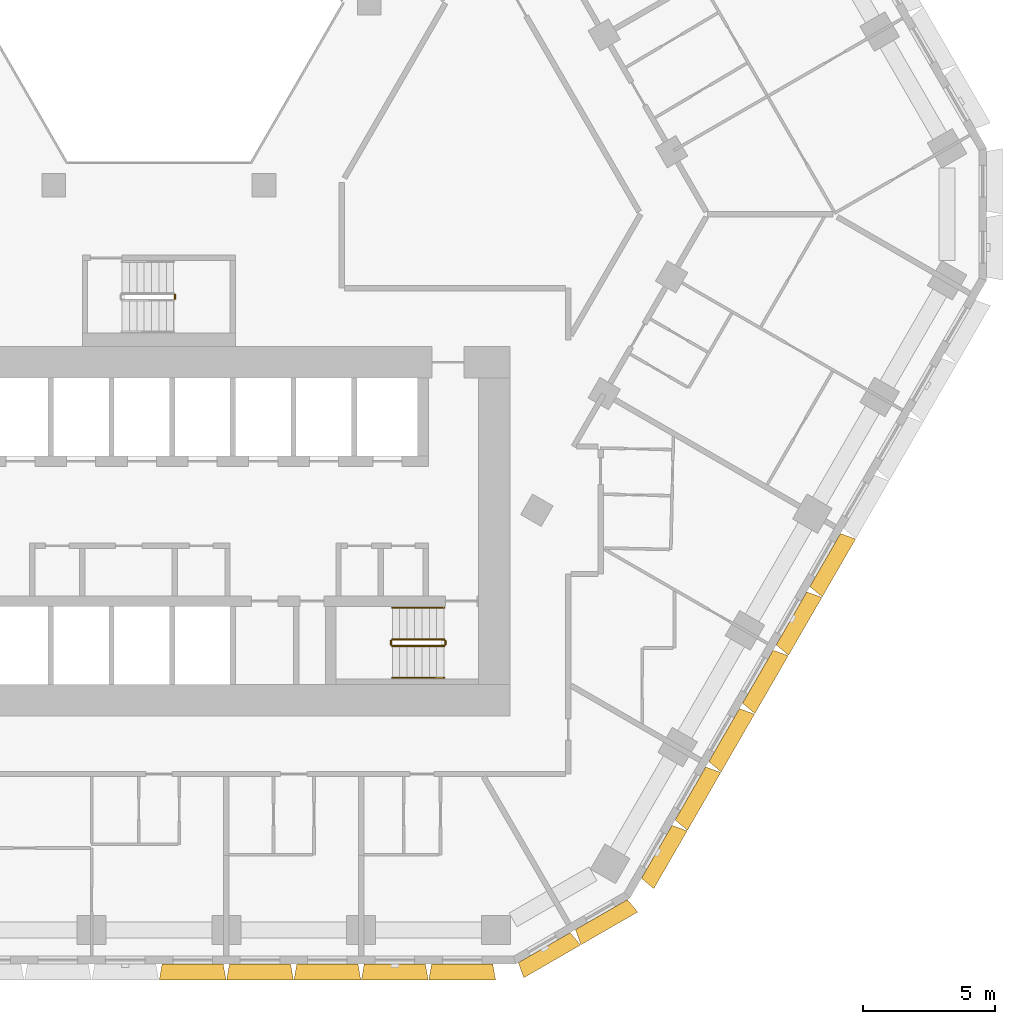
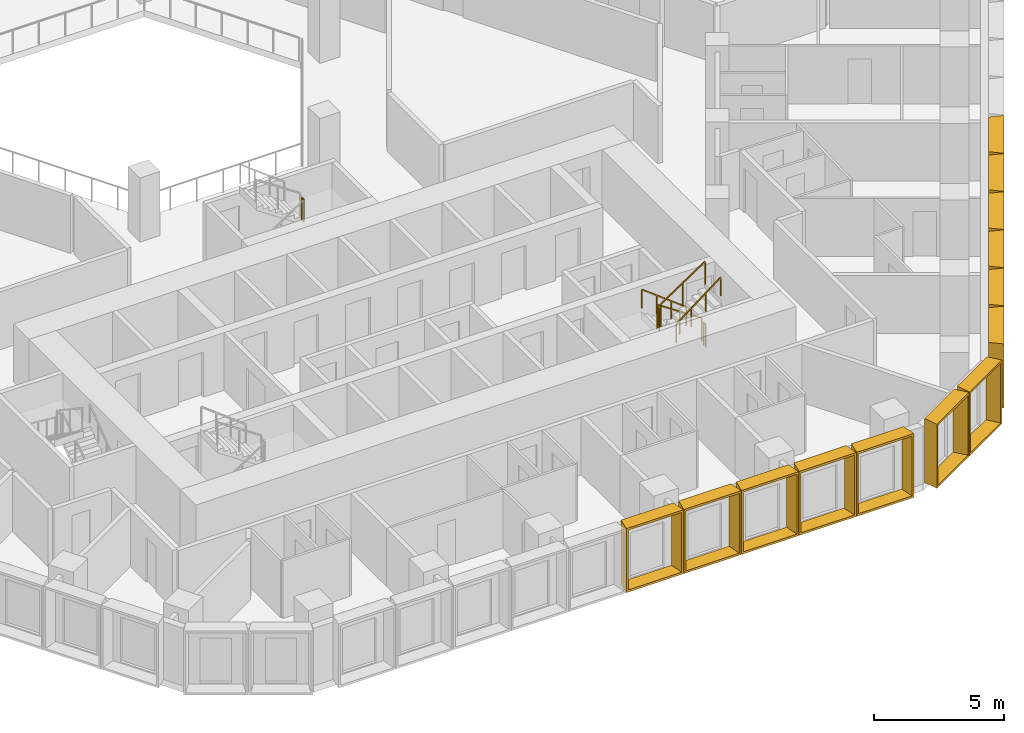
# One storey, part 20 of 21: 13 shading devices, 7 railings.
"""IFC4 building model written with IfcOpenShell, lengths in metres."""

import ifcopenshell
import ifcopenshell.guid

model = None  # the IFC model being written
_history = None  # IfcOwnerHistory: only IFC2X3 demands one
_inside = {}  # id of a spatial element -> (the spatial element, [elements in it])
_under = {}  # id of a project, library or spatial element -> (it, [spatial elements below it])
_declared = {}  # id of a project -> (the project, [libraries it declares])
_typed = {}  # id of a type object -> (the type object, [elements of that type])
_made_of = {}  # id of a material, layer set ... -> (it, [elements and type objects made of it])


def new_model(schema):
    """Start an empty IFC model of exactly this schema.

    Asked for "IFC4X3", IfcOpenShell would pick the latest addendum, in which some entities
    have other attributes; the version numbers below select the first issue.
    IFC2X3 requires an IfcOwnerHistory on every rooted entity: one is made here for all.
    """
    global model, _history
    if schema == "IFC4X3":
        model = ifcopenshell.file(schema_version=(4, 3, 0, 0))
    else:
        model = ifcopenshell.file(schema=schema)
    _inside.clear()
    _under.clear()
    _declared.clear()
    _typed.clear()
    _made_of.clear()
    _history = None
    if model.schema == "IFC2X3":
        org = make("IfcOrganization", Name="unknown")
        user = make(
            "IfcPersonAndOrganization",
            ThePerson=make("IfcPerson", FamilyName="unknown"),
            TheOrganization=org,
        )
        app = make(
            "IfcApplication",
            ApplicationDeveloper=org,
            Version="unknown",
            ApplicationFullName="unknown",
            ApplicationIdentifier="unknown",
        )
        _history = make(
            "IfcOwnerHistory",
            OwningUser=user,
            OwningApplication=app,
            ChangeAction="ADDED",
            CreationDate=0,
        )
    return model


def make(cls, **values):
    """One entity of the class cls with the attributes given. An attribute that is None is left unset."""
    return model.create_entity(
        cls, **{name: value for name, value in values.items() if value is not None}
    )


def entity(cls, *values):
    """Any entity or typed value of the class cls, its attributes in the order of the schema. None: left unset."""
    e = model.create_entity(cls)
    for i, value in enumerate(values):
        if value is not None:
            e[i] = value
    return e


def rooted(cls, **values):
    """An entity with a GlobalId (a new one), such as an element, a storey or a relation."""
    return make(cls, GlobalId=ifcopenshell.guid.new(), OwnerHistory=_history, **values)


def si_unit(unit_type, name, prefix=None):
    """IfcSIUnit, for example si_unit("LENGTHUNIT", "METRE", prefix="MILLI")."""
    return make("IfcSIUnit", UnitType=unit_type, Prefix=prefix, Name=name)


def assignment(units):
    """IfcUnitAssignment: the units of a project."""
    return None if units is None else make("IfcUnitAssignment", Units=units)


def point(xyz):
    """IfcCartesianPoint."""
    return None if xyz is None else make("IfcCartesianPoint", Coordinates=xyz)


def direction(xyz):
    """IfcDirection."""
    return None if xyz is None else make("IfcDirection", DirectionRatios=xyz)


def frame(location, z_axis=None, x_axis=None):
    """IfcAxis2Placement3D, a coordinate frame: its origin and axes. An axis left out is left unset."""
    return make(
        "IfcAxis2Placement3D",
        Location=point(location),
        Axis=direction(z_axis),
        RefDirection=direction(x_axis),
    )


def frame_2d(location, x_axis=None):
    """IfcAxis2Placement2D, a coordinate frame in the plane: its origin and x axis."""
    return make(
        "IfcAxis2Placement2D", Location=point(location), RefDirection=direction(x_axis)
    )


def origin():
    """The frame at (0, 0, 0) with its axes left unset."""
    return frame((0.0, 0.0, 0.0))


def origin_2d():
    """The frame at (0, 0) in the plane with its x axis left unset."""
    return frame_2d((0.0, 0.0))


def place(relative_to, where):
    """IfcLocalPlacement: puts the frame where relative to a parent placement (None: the world)."""
    return make(
        "IfcLocalPlacement", PlacementRelTo=relative_to, RelativePlacement=where
    )


def context(
    kind, dimensions, precision=None, world=None, true_north=None, identifier=None
):
    """IfcGeometricRepresentationContext, for example the 3D "Model" context."""
    return make(
        "IfcGeometricRepresentationContext",
        ContextIdentifier=identifier,
        ContextType=kind,
        CoordinateSpaceDimension=dimensions,
        Precision=precision,
        WorldCoordinateSystem=world,
        TrueNorth=true_north,
    )


def subcontext(parent, identifier, kind, view, scale=None):
    """IfcGeometricRepresentationSubContext, for example "Body" below "Model"."""
    return make(
        "IfcGeometricRepresentationSubContext",
        ContextIdentifier=identifier,
        ContextType=kind,
        ParentContext=parent,
        TargetScale=scale,
        TargetView=view,
    )


def project(units=None, contexts=None):
    """IfcProject with its units and contexts."""
    return rooted(
        "IfcProject",
        Name="project",
        RepresentationContexts=contexts,
        UnitsInContext=assignment(units),
    )


def spatial(cls, under=None, at=None, **own):
    """A site, building, storey or space (cls), placed at a placement, below another one or the project."""
    s = rooted(cls, ObjectPlacement=at, **own)
    if under is not None:
        _under.setdefault(under.id(), (under, []))[1].append(s)
    return s


def profile(cls, at=None, kind="AREA", **sizes):
    """A parametric profile (cls). Its sizes go by their IFC names, for example OverallWidth=200.0."""
    return make(cls, ProfileType=kind, Position=at, **sizes)


def rectangle(**sizes):
    """IfcRectangleProfileDef."""
    return profile("IfcRectangleProfileDef", **sizes)


def extrude(swept, where, along, depth):
    """IfcExtrudedAreaSolid: the profile swept, set in the frame where, extruded along a direction by depth."""
    return make(
        "IfcExtrudedAreaSolid",
        SweptArea=swept,
        Position=where,
        ExtrudedDirection=direction(along),
        Depth=depth,
    )


def shape(context_of_items, identifier, shape_type, items):
    """IfcShapeRepresentation: the items that make up one representation, for example the "Body"."""
    return make(
        "IfcShapeRepresentation",
        ContextOfItems=context_of_items,
        RepresentationIdentifier=identifier,
        RepresentationType=shape_type,
        Items=items,
    )


def source(mapping_origin, context_of_items, identifier, shape_type, items):
    """IfcRepresentationMap: a shape defined once, which mapped items show again and again."""
    return make(
        "IfcRepresentationMap",
        MappingOrigin=mapping_origin,
        MappedRepresentation=shape(context_of_items, identifier, shape_type, items),
    )


def transform(
    local_origin,
    x_axis=None,
    y_axis=None,
    z_axis=None,
    scale=None,
    scale2=None,
    scale3=None,
    uniform=True,
):
    """IfcCartesianTransformationOperator3D, or its non-uniform kind. x_axis, y_axis, z_axis: its Axis1, 2, 3."""
    if uniform:
        return make(
            "IfcCartesianTransformationOperator3D",
            Axis1=direction(x_axis),
            Axis2=direction(y_axis),
            LocalOrigin=point(local_origin),
            Scale=scale,
            Axis3=direction(z_axis),
        )
    return make(
        "IfcCartesianTransformationOperator3DnonUniform",
        Axis1=direction(x_axis),
        Axis2=direction(y_axis),
        LocalOrigin=point(local_origin),
        Scale=scale,
        Axis3=direction(z_axis),
        Scale2=scale2,
        Scale3=scale3,
    )


def mapped(mapping_source, mapping_target):
    """IfcMappedItem: shows the shape of a source again, moved by a transform."""
    return make(
        "IfcMappedItem", MappingSource=mapping_source, MappingTarget=mapping_target
    )


def material(Name=None, Category=None):
    """IfcMaterial."""
    return make("IfcMaterial", Name=Name, Category=Category)


def made_of(thing, what):
    """Note that an element or type object is made of a material, layer set ...; save() writes the relation."""
    if what is not None:
        _made_of.setdefault(what.id(), (what, []))[1].append(thing)
    return thing


def type_object(cls, material=None, **own):
    """A type object (cls), such as IfcWallType, which elements share."""
    return made_of(rooted(cls, **own), material)


def type_shapes(of_type, sources):
    """Give a type object the sources (RepresentationMaps) that its elements show as mapped items."""
    of_type.RepresentationMaps = sources


def element(
    cls,
    number,
    at=None,
    inside=None,
    cuts=None,
    type_object=None,
    material=None,
    context=None,
    identifier="Body",
    shape_type=None,
    held_by="IfcProductDefinitionShape",
    body=None,
    shapes=None,
    **own,
):
    """One element of the class cls, such as IfcWall. Its Tag is "e" and its number.

    at: its placement. inside: the storey or other place that contains it. cuts: it is an
    opening in that element (IfcRelVoidsElement). A single representation is given by context,
    identifier, shape_type and body (its items); several are given by shapes. held_by: the class
    of the entity that holds the representations. save() writes the other relations.
    """
    e = rooted(cls, Tag="e%d" % number, ObjectPlacement=at, **own)
    if body is not None:
        shapes = [shape(context, identifier, shape_type, body)]
    if shapes is not None:
        e.Representation = make(held_by, Representations=shapes)
    if inside is not None:
        _inside.setdefault(inside.id(), (inside, []))[1].append(e)
    if cuts is not None:
        rooted(
            "IfcRelVoidsElement", RelatingBuildingElement=cuts, RelatedOpeningElement=e
        )
    if type_object is not None:
        _typed.setdefault(type_object.id(), (type_object, []))[1].append(e)
    return made_of(e, material)


def aggregate(whole, parts):
    """IfcRelAggregates: a whole, such as a stair, and the parts it consists of."""
    return rooted("IfcRelAggregates", RelatingObject=whole, RelatedObjects=parts)


def save(model, path):
    """Write the relations noted so far, then the file.

    IfcRelAggregates (storeys below a building ...), IfcRelContainedInSpatialStructure (elements
    in a storey), IfcRelDefinesByType, IfcRelAssociatesMaterial and IfcRelDeclares: one each for
    every whole, place, type object, material and project.
    """
    for whole, parts in _under.values():
        aggregate(whole, parts)
    for where, things in _inside.values():
        rooted(
            "IfcRelContainedInSpatialStructure",
            RelatedElements=things,
            RelatingStructure=where,
        )
    for kind, things in _typed.values():
        rooted("IfcRelDefinesByType", RelatedObjects=things, RelatingType=kind)
    for what, things in _made_of.values():
        rooted("IfcRelAssociatesMaterial", RelatedObjects=things, RelatingMaterial=what)
    for by, libraries in _declared.values():
        rooted("IfcRelDeclares", RelatingContext=by, RelatedDefinitions=libraries)
    model.write(path)


model = new_model("IFC4")

# Units and contexts
model_context = context("Model", 3, precision=1e-05, world=origin(), true_north=direction((0.0, 1.0)))
body_context = subcontext(model_context, "Body", "Model", "MODEL_VIEW")
ifc_project = project(units=[si_unit("LENGTHUNIT", "METRE"), si_unit("AREAUNIT", "SQUARE_METRE"), si_unit("VOLUMEUNIT", "CUBIC_METRE"), si_unit("PLANEANGLEUNIT", "RADIAN"), si_unit("MASSUNIT", "GRAM", prefix="KILO")], contexts=[model_context])

# Site, building, storey
site_placement = place(None, origin())
site = spatial("IfcSite", under=ifc_project, at=site_placement, CompositionType="ELEMENT")
building_placement = place(site_placement, origin())
building = spatial("IfcBuilding", under=site, at=building_placement, Name="Beryl Residences", CompositionType="ELEMENT")
storey_placement = place(building_placement, frame((0.0, 0.0, 29.39990234375)))
storey = spatial("IfcBuildingStorey", under=building, at=storey_placement, Name="L08", CompositionType="ELEMENT", Elevation=29.39990234375)

# Shading devices
ifc_material_1 = material(Name="Aluminium pale anodised", Category="aluminium")
shading_device_type_1 = type_object("IfcShadingDeviceType", Name="FR250-60A OUTER SKIN frame 600 mm deep, splay 10/10 deg, 2500 x 3000 mm cell", PredefinedType="USERDEFINED", material=ifc_material_1)
cartesian_point_1 = entity("IfcCartesianPoint", [-1.134033203125, 0.0])
cartesian_point_2 = entity("IfcCartesianPoint", [-1.052734375, 0.10009765625])
cartesian_point_3 = entity("IfcCartesianPoint", [-1.23974609375, 0.0])
cartesian_point_4 = entity("IfcCartesianPoint", [-1.158447265625, 0.10009765625])
shared_shape_1 = source(origin(), body_context, "Body", "SweptSolid", [
    entity("IfcExtrudedAreaSolidTapered", entity("IfcArbitraryProfileDefWithVoids", "AREA", None, entity("IfcPolyline", [cartesian_point_1, entity("IfcCartesianPoint", [1.134033203125, 0.0]), entity("IfcCartesianPoint", [1.134033203125, 3.0]), entity("IfcCartesianPoint", [-1.134033203125, 3.0]), cartesian_point_1]), [entity("IfcPolyline", [cartesian_point_2, entity("IfcCartesianPoint", [1.052734375, 0.10009765625]), entity("IfcCartesianPoint", [1.052734375, 2.89990234375]), entity("IfcCartesianPoint", [-1.052734375, 2.89990234375]), cartesian_point_2])]), entity("IfcAxis2Placement3D", entity("IfcCartesianPoint", [0.0, 0.0, 0.0]), entity("IfcDirection", [0.0, 1.0, 0.0]), entity("IfcDirection", [-1.0, 0.0, 0.0])), entity("IfcDirection", [0.0, 0.0, 1.0]), 0.60009765625, entity("IfcArbitraryProfileDefWithVoids", "AREA", None, entity("IfcPolyline", [cartesian_point_3, entity("IfcCartesianPoint", [1.23974609375, 0.0]), entity("IfcCartesianPoint", [1.23974609375, 3.0]), entity("IfcCartesianPoint", [-1.23974609375, 3.0]), cartesian_point_3]), [entity("IfcPolyline", [cartesian_point_4, entity("IfcCartesianPoint", [1.158447265625, 0.10009765625]), entity("IfcCartesianPoint", [1.158447265625, 2.89990234375]), entity("IfcCartesianPoint", [-1.158447265625, 2.89990234375]), cartesian_point_4])])),
])
type_shapes(shading_device_type_1, [shared_shape_1])
for number, where, z_axis, x_axis, name in (
    (1, (14.593017578125, -27.77490234375, 0.0), (0.0, 0.0, 1.0), (-0.866025403784, -0.5, 0.0), "FR250-60A frame L08 S-SE 1"),
    (2, (16.758056640625, -26.52490234375, 0.0), (0.0, 0.0, 1.0), (-0.866025403784, -0.5, 0.0), "FR250-60A frame L08 S-SE 2"),
):
    element("IfcShadingDevice", number, at=place(storey_placement, frame(where, z_axis=z_axis, x_axis=x_axis)), inside=storey, type_object=shading_device_type_1, Name=name, ObjectType="OUTER SKIN", PredefinedType="USERDEFINED", context=body_context, shape_type="MappedRepresentation", body=[
        mapped(shared_shape_1, transform((0.0, 0.0, 0.0))),
    ])
ifc_material_2 = material(Name="Aluminium pale anodised", Category="aluminium")
shading_device_type_2 = type_object("IfcShadingDeviceType", Name="FR255-60A OUTER SKIN frame 600 mm deep, splay 10/10 deg, 2550 x 3000 mm cell", PredefinedType="USERDEFINED", material=ifc_material_2)
cartesian_point_5 = entity("IfcCartesianPoint", [-1.158935546875, 0.0])
cartesian_point_6 = entity("IfcCartesianPoint", [-1.077880859375, 0.10009765625])
cartesian_point_7 = entity("IfcCartesianPoint", [-1.264892578125, 0.0])
cartesian_point_8 = entity("IfcCartesianPoint", [-1.18359375, 0.10009765625])
shared_shape_2 = source(origin(), body_context, "Body", "SweptSolid", [
    entity("IfcExtrudedAreaSolidTapered", entity("IfcArbitraryProfileDefWithVoids", "AREA", None, entity("IfcPolyline", [cartesian_point_5, entity("IfcCartesianPoint", [1.158935546875, 0.0]), entity("IfcCartesianPoint", [1.158935546875, 3.0]), entity("IfcCartesianPoint", [-1.158935546875, 3.0]), cartesian_point_5]), [entity("IfcPolyline", [cartesian_point_6, entity("IfcCartesianPoint", [1.077880859375, 0.10009765625]), entity("IfcCartesianPoint", [1.077880859375, 2.89990234375]), entity("IfcCartesianPoint", [-1.077880859375, 2.89990234375]), cartesian_point_6])]), entity("IfcAxis2Placement3D", entity("IfcCartesianPoint", [0.0, 0.0, 0.0]), entity("IfcDirection", [0.0, 1.0, 0.0]), entity("IfcDirection", [-1.0, 0.0, 0.0])), entity("IfcDirection", [0.0, 0.0, 1.0]), 0.60009765625, entity("IfcArbitraryProfileDefWithVoids", "AREA", None, entity("IfcPolyline", [cartesian_point_7, entity("IfcCartesianPoint", [1.264892578125, 0.0]), entity("IfcCartesianPoint", [1.264892578125, 3.0]), entity("IfcCartesianPoint", [-1.264892578125, 3.0]), cartesian_point_7]), [entity("IfcPolyline", [cartesian_point_8, entity("IfcCartesianPoint", [1.18359375, 0.10009765625]), entity("IfcCartesianPoint", [1.18359375, 2.89990234375]), entity("IfcCartesianPoint", [-1.18359375, 2.89990234375]), cartesian_point_8])])),
])
type_shapes(shading_device_type_2, [shared_shape_2])
for number, where, z_axis, x_axis, name in (
    (3, (1.277099609375, -28.39990234375, 0.0), (0.0, 0.0, 1.0), (-1.0, 0.0, 0.0), "FR255-60A frame L08 S 6"),
    (4, (3.8291015625, -28.39990234375, 0.0), (0.0, 0.0, 1.0), (-1.0, 0.0, 0.0), "FR255-60A frame L08 S 7"),
    (5, (6.381103515625, -28.39990234375, 0.0), (0.0, 0.0, 1.0), (-1.0, 0.0, 0.0), "FR255-60A frame L08 S 8"),
    (6, (8.93310546875, -28.39990234375, 0.0), (0.0, 0.0, 1.0), (-1.0, 0.0, 0.0), "FR255-60A frame L08 S 9"),
    (7, (11.485107421875, -28.39990234375, 0.0), (0.0, 0.0, 1.0), (-1.0, 0.0, 0.0), "FR255-60A frame L08 S 10"),
    (8, (18.85400390625, -24.14501953125, 0.0), (0.0, 0.0, 1.0), (-0.5, -0.866025403784, 0.0), "FR255-60A frame L08 SE 1"),
    (9, (20.1298828125, -21.93505859375, 0.0), (0.0, 0.0, 1.0), (-0.5, -0.866025403784, 0.0), "FR255-60A frame L08 SE 2"),
    (10, (21.406005859375, -19.72412109375, 0.0), (0.0, 0.0, 1.0), (-0.5, -0.866025403784, 0.0), "FR255-60A frame L08 SE 3"),
    (11, (22.681884765625, -17.513916015625, 0.0), (0.0, 0.0, 1.0), (-0.5, -0.866025403784, 0.0), "FR255-60A frame L08 SE 4"),
    (12, (23.9580078125, -15.303955078125, 0.0), (0.0, 0.0, 1.0), (-0.5, -0.866025403784, 0.0), "FR255-60A frame L08 SE 5"),
    (13, (25.23291015625, -13.093994140625, 0.0), (0.0, 0.0, 1.0), (-0.5, -0.866025403784, 0.0), "FR255-60A frame L08 SE 6"),
):
    element("IfcShadingDevice", number, at=place(storey_placement, frame(where, z_axis=z_axis, x_axis=x_axis)), inside=storey, type_object=shading_device_type_2, Name=name, ObjectType="OUTER SKIN", PredefinedType="USERDEFINED", context=body_context, shape_type="MappedRepresentation", body=[
        mapped(shared_shape_2, transform((0.0, 0.0, 0.0))),
    ])

# Railings
ifc_material_3 = material(Name="Stainless steel balustrade with glass infill", Category="steel")
railing_type_1 = type_object("IfcRailingType", Name="SG1 stair guard 1100 mm", PredefinedType="GUARDRAIL", material=ifc_material_3)
railing_1_placement = place(storey_placement, frame((10.800048828125, -16.10009765625, 0.1875)))
element("IfcRailing", 14, at=railing_1_placement, inside=storey, type_object=railing_type_1, Name="L08 ST-3 stair guard 1", PredefinedType="GUARDRAIL", context=body_context, shape_type="SweptSolid", body=[
    extrude(rectangle(XDim=0.048095703125, YDim=0.048095703125, at=origin_2d()), frame((0.0, 0.0, 1.076171875), z_axis=(-0.830902050051, 0.0, 0.556418712142), x_axis=(0.0, -1.0, 0.0)), (0.0, 0.0, 1.0), 2.35888671875),
    extrude(rectangle(XDim=0.0419921875, YDim=0.0419921875, at=origin_2d()), origin(), (0.0, 0.0, 1.0), 1.052001953125),
    extrude(rectangle(XDim=0.0419921875, YDim=0.0419921875, at=origin_2d()), frame((-0.97998046875, 0.0, 0.65625)), (0.0, 0.0, 1.0), 1.052001953125),
    extrude(rectangle(XDim=0.0419921875, YDim=0.0419921875, at=origin_2d()), frame((-1.9599609375, 0.0, 1.3125)), (0.0, 0.0, 1.0), 1.052001953125),
])
railing_2_placement = place(storey_placement, frame((8.7900390625, -16.14990234375, 1.5)))
element("IfcRailing", 15, at=railing_2_placement, inside=storey, type_object=railing_type_1, Name="L08 ST-3 stair guard 2", PredefinedType="GUARDRAIL", context=body_context, shape_type="SweptSolid", body=[
    extrude(rectangle(XDim=0.048095703125, YDim=0.048095703125, at=origin_2d()), frame((0.0, 0.0, 1.076171875), z_axis=(0.0, -1.0, 0.0), x_axis=(1.0, 0.0, 0.0)), (0.0, 0.0, 1.0), 0.150146484375),
    extrude(rectangle(XDim=0.0419921875, YDim=0.0419921875, at=origin_2d()), origin(), (0.0, 0.0, 1.0), 1.052001953125),
    extrude(rectangle(XDim=0.0419921875, YDim=0.0419921875, at=origin_2d()), frame((0.0, -0.150146484375, 0.0)), (0.0, 0.0, 1.0), 1.052001953125),
])
railing_3_placement = place(storey_placement, frame((8.840087890625, -16.35009765625, 1.6875)))
element("IfcRailing", 16, at=railing_3_placement, inside=storey, type_object=railing_type_1, Name="L08 ST-3 stair guard 3", PredefinedType="GUARDRAIL", context=body_context, shape_type="SweptSolid", body=[
    extrude(rectangle(XDim=0.048095703125, YDim=0.048095703125, at=origin_2d()), frame((0.0, 0.0, 1.076171875), z_axis=(0.830902050051, 0.0, 0.556418712142), x_axis=(0.0, 1.0, 0.0)), (0.0, 0.0, 1.0), 2.35888671875),
    extrude(rectangle(XDim=0.0419921875, YDim=0.0419921875, at=origin_2d()), origin(), (0.0, 0.0, 1.0), 1.052001953125),
    extrude(rectangle(XDim=0.0419921875, YDim=0.0419921875, at=origin_2d()), frame((0.97998046875, 0.0, 0.65625)), (0.0, 0.0, 1.0), 1.052001953125),
    extrude(rectangle(XDim=0.0419921875, YDim=0.0419921875, at=origin_2d()), frame((1.9599609375, 0.0, 1.3125)), (0.0, 0.0, 1.0), 1.052001953125),
])
railing_4_placement = place(storey_placement, frame((10.85009765625, -16.14990234375, 0.0)))
element("IfcRailing", 17, at=railing_4_placement, inside=storey, type_object=railing_type_1, Name="L08 ST-3 stair guard 4", PredefinedType="GUARDRAIL", context=body_context, shape_type="SweptSolid", body=[
    extrude(rectangle(XDim=0.048095703125, YDim=0.048095703125, at=origin_2d()), frame((0.0, 0.0, 1.076171875), z_axis=(0.0, -1.0, 0.0), x_axis=(1.0, 0.0, 0.0)), (0.0, 0.0, 1.0), 0.150146484375),
    extrude(rectangle(XDim=0.0419921875, YDim=0.0419921875, at=origin_2d()), origin(), (0.0, 0.0, 1.0), 1.052001953125),
    extrude(rectangle(XDim=0.0419921875, YDim=0.0419921875, at=origin_2d()), frame((0.0, -0.150146484375, 0.0)), (0.0, 0.0, 1.0), 1.052001953125),
])
railing_5_placement = place(storey_placement, frame((0.610107421875, -3.199951171875, 1.5)))
element("IfcRailing", 18, at=railing_5_placement, inside=storey, type_object=railing_type_1, Name="L08 ST-4 stair guard 2", PredefinedType="GUARDRAIL", context=body_context, shape_type="SweptSolid", body=[
    extrude(rectangle(XDim=0.048095703125, YDim=0.048095703125, at=origin_2d()), frame((0.0, 0.0, 1.076171875), z_axis=(0.0, 1.0, 0.0), x_axis=(-1.0, 0.0, 0.0)), (0.0, 0.0, 1.0), 0.14990234375),
    extrude(rectangle(XDim=0.0419921875, YDim=0.0419921875, at=origin_2d()), origin(), (0.0, 0.0, 1.0), 1.052001953125),
    extrude(rectangle(XDim=0.0419921875, YDim=0.0419921875, at=origin_2d()), frame((0.0, 0.14990234375, 0.0)), (0.0, 0.0, 1.0), 1.052001953125),
])
ifc_material_4 = material(Name="Stainless steel handrail", Category="steel")
railing_type_2 = type_object("IfcRailingType", Name="SRL1 stair handrail 900 mm", PredefinedType="HANDRAIL", material=ifc_material_4)
railing_6_placement = place(storey_placement, frame((10.800048828125, -14.89990234375, 0.1875)))
element("IfcRailing", 19, at=railing_6_placement, inside=storey, type_object=railing_type_2, Name="L08 ST-3 stair handrail 1", PredefinedType="HANDRAIL", context=body_context, shape_type="SweptSolid", body=[
    extrude(rectangle(XDim=0.048095703125, YDim=0.048095703125, at=origin_2d()), frame((0.0, 0.0, 0.8759765625), z_axis=(-0.794121922505, 0.0, 0.607758481798), x_axis=(0.0, -1.0, 0.0)), (0.0, 0.0, 1.0), 2.468017578125),
    extrude(rectangle(XDim=0.0419921875, YDim=0.0419921875, at=origin_2d()), origin(), (0.0, 0.0, 1.0), 0.851806640625),
    extrude(rectangle(XDim=0.0419921875, YDim=0.0419921875, at=origin_2d()), frame((-0.6533203125, 0.0, 0.5)), (0.0, 0.0, 1.0), 0.851806640625),
    extrude(rectangle(XDim=0.0419921875, YDim=0.0419921875, at=origin_2d()), frame((-1.306640625, 0.0, 1.0)), (0.0, 0.0, 1.0), 0.851806640625),
    extrude(rectangle(XDim=0.0419921875, YDim=0.0419921875, at=origin_2d()), frame((-1.9599609375, 0.0, 1.5)), (0.0, 0.0, 1.0), 0.851806640625),
])
railing_7_placement = place(storey_placement, frame((8.840087890625, -17.550048828125, 1.6875)))
element("IfcRailing", 20, at=railing_7_placement, inside=storey, type_object=railing_type_2, Name="L08 ST-3 stair handrail 2", PredefinedType="HANDRAIL", context=body_context, shape_type="SweptSolid", body=[
    extrude(rectangle(XDim=0.048095703125, YDim=0.048095703125, at=origin_2d()), frame((0.0, 0.0, 0.8759765625), z_axis=(0.794121922505, 0.0, 0.607758481798), x_axis=(0.0, 1.0, 0.0)), (0.0, 0.0, 1.0), 2.468017578125),
    extrude(rectangle(XDim=0.0419921875, YDim=0.0419921875, at=origin_2d()), origin(), (0.0, 0.0, 1.0), 0.851806640625),
    extrude(rectangle(XDim=0.0419921875, YDim=0.0419921875, at=origin_2d()), frame((0.6533203125, 0.0, 0.5)), (0.0, 0.0, 1.0), 0.851806640625),
    extrude(rectangle(XDim=0.0419921875, YDim=0.0419921875, at=origin_2d()), frame((1.306640625, 0.0, 1.0)), (0.0, 0.0, 1.0), 0.851806640625),
    extrude(rectangle(XDim=0.0419921875, YDim=0.0419921875, at=origin_2d()), frame((1.9599609375, 0.0, 1.5)), (0.0, 0.0, 1.0), 0.851806640625),
])

save(model, "model.ifc")
